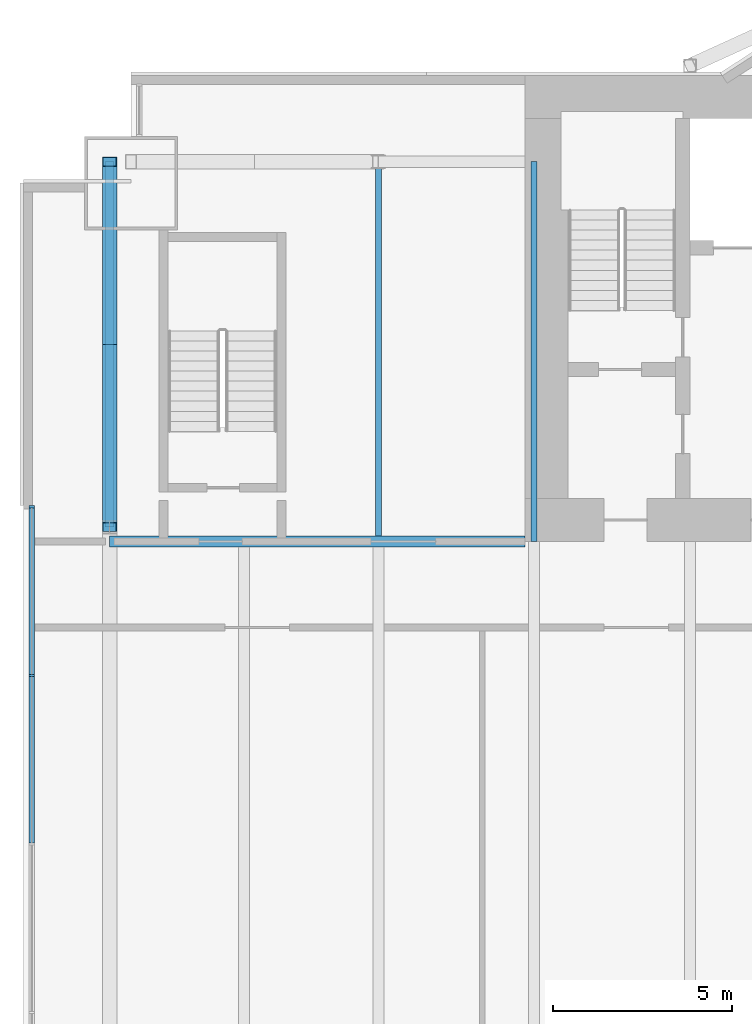
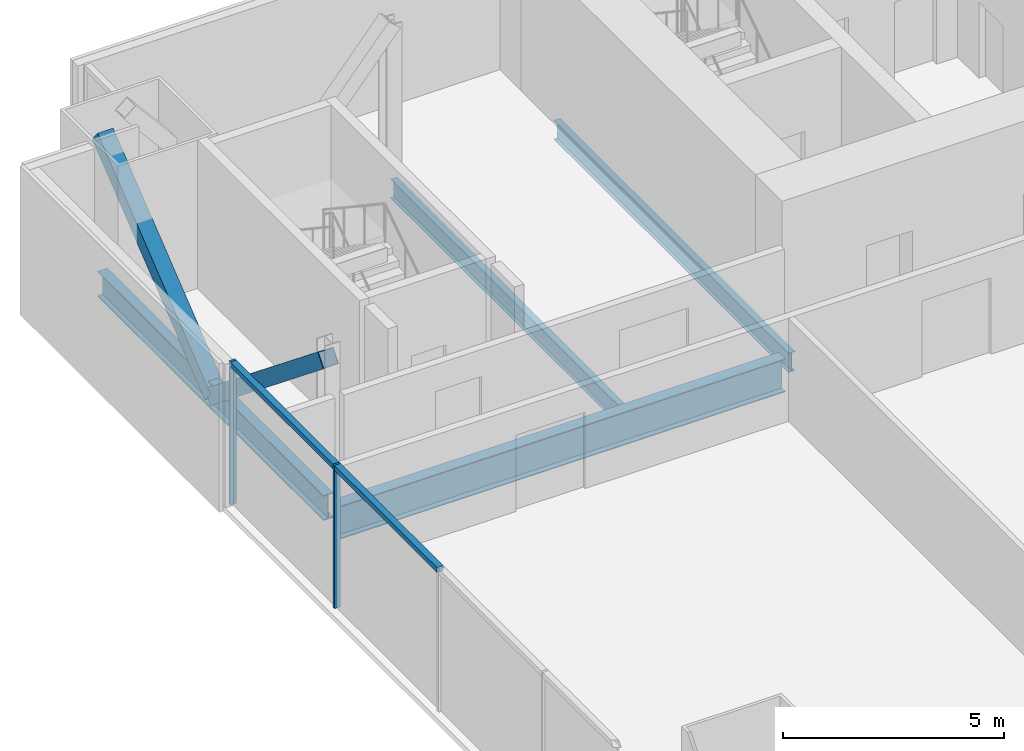
# One storey, part 7 of 21: 6 members, 4 beams, 1 element without a shape of its own.
"""IFC4 building model written with IfcOpenShell, lengths in metres."""

from ifc_helpers import new_model, si_unit, direction, frame, origin, origin_2d, place, context, subcontext, project, spatial, rectangle, hollow_rectangle, i_section, extrude, material, material_profile, profile_set, type_object, element, aggregate, save


model = new_model("IFC4")

# Units and contexts
model_context = context("Model", 3, precision=1e-05, world=origin(), true_north=direction((0.0, 1.0)))
body_context = subcontext(model_context, "Body", "Model", "MODEL_VIEW")
ifc_project = project(units=[si_unit("LENGTHUNIT", "METRE"), si_unit("AREAUNIT", "SQUARE_METRE"), si_unit("VOLUMEUNIT", "CUBIC_METRE"), si_unit("PLANEANGLEUNIT", "RADIAN"), si_unit("MASSUNIT", "GRAM", prefix="KILO")], contexts=[model_context])

# Site, building, storey
site_placement = place(None, origin())
site = spatial("IfcSite", under=ifc_project, at=site_placement, CompositionType="ELEMENT")
building_placement = place(site_placement, origin())
building = spatial("IfcBuilding", under=site, at=building_placement, Name="Bicima Exchange Tower", CompositionType="ELEMENT")
storey_placement = place(building_placement, frame((0.0, 0.0, 173.199951171875)))
storey = spatial("IfcBuildingStorey", under=building, at=storey_placement, Name="L38", CompositionType="ELEMENT", Elevation=173.199951171875)

# Beam
ifc_material_1 = material(Name="Steel ASTM A992 Gr 50", Category="steel")
ifc_material_profile_1 = material_profile(ifc_material_1, i_section(OverallWidth=0.3046875, OverallDepth=0.911865234375, WebThickness=0.015869140625, FlangeThickness=0.02392578125, at=origin_2d()))
ifc_profile_set_1 = profile_set([ifc_material_profile_1], Name="Steel ASTM A992 Gr 50")
beam_type_1 = type_object("IfcBeamType", Name="Core-line girder W36x150", PredefinedType="BEAM", material=ifc_profile_set_1)
beam_1_placement = place(storey_placement, frame((-22.0, -13.0, -0.60595703125), z_axis=(-1.0, 0.0, 0.0), x_axis=(0.0, -1.0, 0.0)))
element("IfcBeam", 1, at=beam_1_placement, inside=storey, type_object=beam_type_1, Name="Core-line girder", PredefinedType="BEAM", context=body_context, shape_type="SweptSolid", body=[
    extrude(i_section(OverallWidth=0.3046875, OverallDepth=0.911865234375, WebThickness=0.015869140625, FlangeThickness=0.02392578125, at=origin_2d()), origin(), (0.0, 0.0, 1.0), 11.60009765625),
])

# Curtain wall, members
ifc_material_2 = material(Name="Anodised bronze aluminium", Category="aluminium")
curtain_wall_type = type_object("IfcCurtainWallType", Name="End face glass wall", PredefinedType="NOTDEFINED", material=ifc_material_2)
curtain_wall_placement = place(storey_placement, origin())
curtain_wall = element("IfcCurtainWall", 2, at=curtain_wall_placement, inside=storey, type_object=curtain_wall_type, Name="End face glass wall L38 run 2", PredefinedType="NOTDEFINED")
ifc_material_profile_2 = material_profile(ifc_material_2, rectangle(XDim=0.159912109375, YDim=0.06005859375, at=origin_2d()))
ifc_profile_set_2 = profile_set([ifc_material_profile_2], Name="Anodised bronze aluminium")
member_type_1 = type_object("IfcMemberType", Name="End face glass wall mullion 60 x 160", PredefinedType="MULLION", material=ifc_profile_set_2)
member_1_placement = place(storey_placement, frame((-35.77001953125, -12.030029296875, 0.0), z_axis=(0.0, 0.0, 1.0), x_axis=(1.0, 0.0, 0.0)))
member_1 = element("IfcMember", 3, at=member_1_placement, type_object=member_type_1, Name="End face glass wall mullion 1", PredefinedType="MULLION", context=body_context, shape_type="SweptSolid", body=[
    extrude(rectangle(XDim=0.159912109375, YDim=0.06005859375, at=origin_2d()), origin(), (0.0, 0.0, 1.0), 3.949951171875),
])
member_2_placement = place(storey_placement, frame((-35.77001953125, -16.735595703125, 0.0), z_axis=(0.0, 0.0, 1.0), x_axis=(1.0, 0.0, 0.0)))
member_2 = element("IfcMember", 4, at=member_2_placement, type_object=member_type_1, Name="End face glass wall mullion 2", PredefinedType="MULLION", context=body_context, shape_type="SweptSolid", body=[
    extrude(rectangle(XDim=0.159912109375, YDim=0.06005859375, at=origin_2d()), origin(), (0.0, 0.0, 1.0), 3.949951171875),
])
ifc_material_profile_3 = material_profile(ifc_material_2, rectangle(XDim=0.159912109375, YDim=0.139892578125, at=origin_2d()))
ifc_profile_set_3 = profile_set([ifc_material_profile_3], Name="Anodised bronze aluminium")
member_type_2 = type_object("IfcMemberType", Name="End face glass wall transom 140 x 160", PredefinedType="USERDEFINED", material=ifc_profile_set_3)
member_3_placement = place(storey_placement, frame((-35.77001953125, -12.06005859375, 3.880126953125), z_axis=(0.0, -1.0, 0.0), x_axis=(1.0, 0.0, 0.0)))
member_3 = element("IfcMember", 5, at=member_3_placement, type_object=member_type_2, Name="End face glass wall transom 1.1", ObjectType="TRANSOM", PredefinedType="USERDEFINED", context=body_context, shape_type="SweptSolid", body=[
    extrude(rectangle(XDim=0.159912109375, YDim=0.139892578125, at=origin_2d()), origin(), (0.0, 0.0, 1.0), 4.6455078125),
])
member_4_placement = place(storey_placement, frame((-35.77001953125, -16.765380859375, 3.880126953125), z_axis=(0.0, -1.0, 0.0), x_axis=(1.0, 0.0, 0.0)))
member_4 = element("IfcMember", 6, at=member_4_placement, type_object=member_type_2, Name="End face glass wall transom 2.1", ObjectType="TRANSOM", PredefinedType="USERDEFINED", context=body_context, shape_type="SweptSolid", body=[
    extrude(rectangle(XDim=0.159912109375, YDim=0.139892578125, at=origin_2d()), origin(), (0.0, 0.0, 1.0), 4.6455078125),
])
aggregate(curtain_wall, [member_1, member_2, member_3, member_4])

# Beams
ifc_material_profile_4 = material_profile(ifc_material_1, i_section(OverallWidth=0.256591796875, OverallDepth=0.693359375, WebThickness=0.014404296875, FlangeThickness=0.023681640625, at=origin_2d()))
ifc_profile_set_4 = profile_set([ifc_material_profile_4], Name="Steel ASTM A992 Gr 50")
beam_type_2 = type_object("IfcBeamType", Name="End girder W27x114", PredefinedType="BEAM", material=ifc_profile_set_4)
beam_2_placement = place(storey_placement, frame((-33.60009765625, -2.39990234375, -0.49658203125), z_axis=(0.0, -1.0, 0.0), x_axis=(1.0, 0.0, 0.0)))
element("IfcBeam", 7, at=beam_2_placement, inside=storey, type_object=beam_type_2, Name="End girder", PredefinedType="BEAM", context=body_context, shape_type="SweptSolid", body=[
    extrude(i_section(OverallWidth=0.256591796875, OverallDepth=0.693359375, WebThickness=0.014404296875, FlangeThickness=0.023681640625, at=origin_2d()), origin(), (0.0, 0.0, 1.0), 10.2001953125),
])
ifc_material_profile_5 = material_profile(ifc_material_1, i_section(OverallWidth=0.165771484375, OverallDepth=0.5283203125, WebThickness=0.009765625, FlangeThickness=0.013671875, at=origin_2d()))
ifc_profile_set_5 = profile_set([ifc_material_profile_5], Name="Steel ASTM A992 Gr 50")
beam_type_3 = type_object("IfcBeamType", Name="Floor beam W21x50", PredefinedType="JOIST", material=ifc_profile_set_5)
beam_3_placement = place(storey_placement, frame((-26.10009765625, -2.5625, -0.4140625), z_axis=(0.0, -1.0, 0.0), x_axis=(1.0, 0.0, 0.0)))
element("IfcBeam", 8, at=beam_3_placement, inside=storey, type_object=beam_type_3, Name="Floor beam", PredefinedType="JOIST", context=body_context, shape_type="SweptSolid", body=[
    extrude(i_section(OverallWidth=0.165771484375, OverallDepth=0.5283203125, WebThickness=0.009765625, FlangeThickness=0.013671875, at=origin_2d()), origin(), (0.0, 0.0, 1.0), 10.28515625),
])
beam_4_placement = place(storey_placement, frame((-21.75, -2.39990234375, -0.4140625), z_axis=(0.0, -1.0, 0.0), x_axis=(1.0, 0.0, 0.0)))
element("IfcBeam", 9, at=beam_4_placement, inside=storey, type_object=beam_type_3, Name="Floor beam", PredefinedType="JOIST", context=body_context, shape_type="SweptSolid", body=[
    extrude(i_section(OverallWidth=0.165771484375, OverallDepth=0.5283203125, WebThickness=0.009765625, FlangeThickness=0.013671875, at=origin_2d()), origin(), (0.0, 0.0, 1.0), 10.60009765625),
])

# Members
ifc_material_3 = material(Name="Steel ASTM A572 Gr 50", Category="steel")
ifc_material_profile_6 = material_profile(ifc_material_3, hollow_rectangle(XDim=0.406494140625, YDim=0.406494140625, WallThickness=0.017822265625, at=origin_2d()))
ifc_profile_set_6 = profile_set([ifc_material_profile_6], Name="Steel ASTM A572 Gr 50")
member_type_3 = type_object("IfcMemberType", Name="Mega brace HSS16x16x3/4", PredefinedType="BRACE", material=ifc_profile_set_6)
for number, where, z_axis, x_axis, name in (
    (10, (-33.60009765625, -7.5, -0.49658203125), (0.0, -0.779392460608, 0.626536026376), (1.0, 0.0, 0.0), "Mega brace west end"),
    (11, (-33.60009765625, -7.5, -0.49658203125), (0.0, 0.779392460608, 0.626536026376), (-1.0, 0.0, 0.0), "Mega brace west end"),
):
    element("IfcMember", number, at=place(storey_placement, frame(where, z_axis=z_axis, x_axis=x_axis)), inside=storey, type_object=member_type_3, Name=name, PredefinedType="BRACE", context=body_context, shape_type="SweptSolid", body=[
        extrude(hollow_rectangle(XDim=0.406494140625, YDim=0.406494140625, WallThickness=0.017822265625, at=origin_2d()), origin(), (0.0, 0.0, 1.0), 6.543701171875),
    ])

save(model, "model.ifc")
